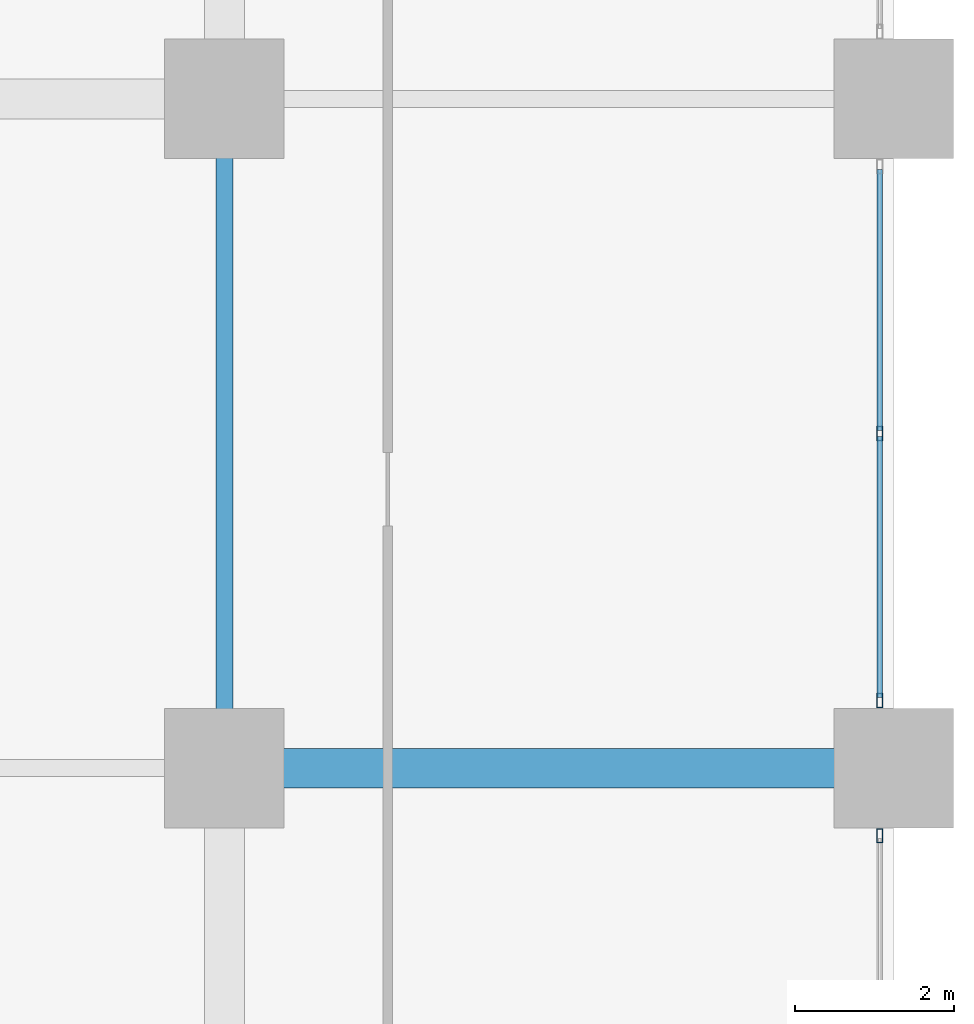
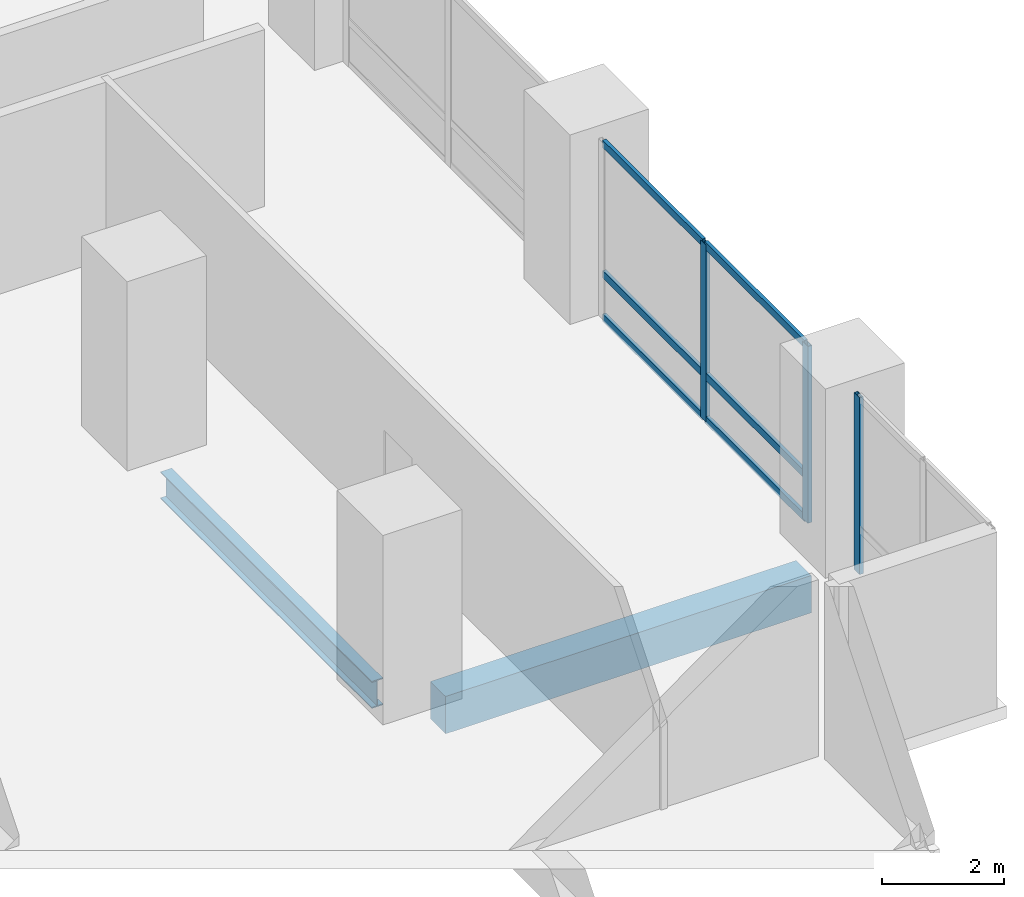
# One storey, part 4 of 27: 9 members, 2 beams, 2 elements without a shape of their own.
"""IFC4 building model written with IfcOpenShell, lengths in metres."""

from ifc_helpers import new_model, si_unit, direction, frame, origin, origin_2d, place, context, subcontext, project, spatial, rectangle, hollow_rectangle, i_section, extrude, material, layer, layer_set, material_profile, profile_set, type_object, element, aggregate, save


model = new_model("IFC4")

# Units and contexts
model_context = context("Model", 3, precision=1e-05, world=origin(), true_north=direction((0.0, 1.0)))
body_context = subcontext(model_context, "Body", "Model", "MODEL_VIEW")
ifc_project = project(units=[si_unit("LENGTHUNIT", "METRE"), si_unit("AREAUNIT", "SQUARE_METRE"), si_unit("VOLUMEUNIT", "CUBIC_METRE"), si_unit("PLANEANGLEUNIT", "RADIAN"), si_unit("MASSUNIT", "GRAM", prefix="KILO")], contexts=[model_context])

# Site, building, storey
site_placement = place(None, origin())
site = spatial("IfcSite", under=ifc_project, at=site_placement, CompositionType="ELEMENT")
building_placement = place(site_placement, origin())
building = spatial("IfcBuilding", under=site, at=building_placement, Name="Koriwani Terraces Tower", CompositionType="ELEMENT")
storey_placement = place(building_placement, frame((0.0, 0.0, 70.0)))
storey = spatial("IfcBuildingStorey", under=building, at=storey_placement, Name="L16", CompositionType="ELEMENT", Elevation=70.0)

# Beam
ifc_material_1 = material(Name="Concrete C50/60", Category="concrete")
ifc_material_profile_1 = material_profile(ifc_material_1, rectangle(XDim=0.5, YDim=0.75, at=origin_2d()), Name="Concrete C50/60", Category="LoadBearing")
ifc_profile_set_1 = profile_set([ifc_material_profile_1], Name="Concrete C50/60")
beam_type_1 = type_object("IfcBeamType", Name="BEAM_RC_GRID_500X750", PredefinedType="BEAM", material=ifc_profile_set_1)
beam_1_placement = place(storey_placement, frame((84.72998046875, 8.39990234375, -0.625), z_axis=(1.0, 0.0, 0.0), x_axis=(0.0, 1.0, 0.0)))
element("IfcBeam", 1, at=beam_1_placement, inside=storey, type_object=beam_type_1, Name="L16 Grid Beam B (84.0-92.4m)", PredefinedType="BEAM", context=body_context, shape_type="SweptSolid", body=[
    extrude(rectangle(XDim=0.5, YDim=0.75, at=origin_2d()), origin(), (0.0, 0.0, 1.0), 6.93994140625),
])

# Curtain wall, members
ifc_material_2 = material(Name="Anodised Bronze Aluminium", Category="aluminium")
ifc_layer = layer(ifc_material_2, 0.179931640625, Name="Anodised Bronze Aluminium")
ifc_layer_set = layer_set([ifc_layer], Name="Anodised Bronze Aluminium")
curtain_wall_type = type_object("IfcCurtainWallType", Name="CW_HOTEL_ZONE1", PredefinedType="NOTDEFINED", material=ifc_layer_set)
curtain_wall_1_placement = place(storey_placement, origin())
curtain_wall_1 = element("IfcCurtainWall", 2, at=curtain_wall_1_placement, inside=storey, type_object=curtain_wall_type, Name="L16 Unitised Curtain Wall (E_TIP) Bay 3", PredefinedType="NOTDEFINED")
ifc_material_profile_2 = material_profile(ifc_material_2, hollow_rectangle(XDim=0.074951171875, YDim=0.179931640625, WallThickness=0.006103515625, at=origin_2d()), Name="Anodised Bronze Aluminium", Category="LoadBearing")
ifc_profile_set_2 = profile_set([ifc_material_profile_2], Name="Anodised Bronze Aluminium")
member_type_1 = type_object("IfcMemberType", Name="CW_MULLION_180X75", PredefinedType="MULLION", material=ifc_profile_set_2)
member_1_placement = place(storey_placement, frame((92.22509765625, 12.60009765625, 0.0), z_axis=(0.0, 0.0, 1.0), x_axis=(1.0, 0.0, 0.0)))
member_1 = element("IfcMember", 3, at=member_1_placement, type_object=member_type_1, Name="CW-Z1 mullion 2", PredefinedType="MULLION", context=body_context, shape_type="SweptSolid", body=[
    extrude(hollow_rectangle(XDim=0.074951171875, YDim=0.179931640625, WallThickness=0.006103515625, at=origin_2d()), origin(), (0.0, 0.0, 1.0), 3.550048828125),
])
member_2_placement = place(storey_placement, frame((92.22509765625, 9.24755859375, 0.0), z_axis=(0.0, 0.0, 1.0), x_axis=(1.0, 0.0, 0.0)))
member_2 = element("IfcMember", 4, at=member_2_placement, type_object=member_type_1, Name="CW-Z1 mullion 3", PredefinedType="MULLION", context=body_context, shape_type="SweptSolid", body=[
    extrude(hollow_rectangle(XDim=0.074951171875, YDim=0.179931640625, WallThickness=0.006103515625, at=origin_2d()), origin(), (0.0, 0.0, 1.0), 3.550048828125),
])

# Curtain wall, member
curtain_wall_2_placement = place(storey_placement, origin())
curtain_wall_2 = element("IfcCurtainWall", 5, at=curtain_wall_2_placement, inside=storey, type_object=curtain_wall_type, Name="L16 Unitised Curtain Wall (E_TIP) Bay 4", PredefinedType="NOTDEFINED")
member_3_placement = place(storey_placement, frame((92.22509765625, 7.552490234375, 0.0), z_axis=(0.0, 0.0, 1.0), x_axis=(1.0, 0.0, 0.0)))
member_3 = element("IfcMember", 6, at=member_3_placement, type_object=member_type_1, Name="CW-Z1 mullion 1", PredefinedType="MULLION", context=body_context, shape_type="SweptSolid", body=[
    extrude(hollow_rectangle(XDim=0.074951171875, YDim=0.179931640625, WallThickness=0.006103515625, at=origin_2d()), origin(), (0.0, 0.0, 1.0), 3.550048828125),
])
aggregate(curtain_wall_2, [member_3])

# Member
ifc_material_profile_3 = material_profile(ifc_material_2, hollow_rectangle(XDim=0.06494140625, YDim=0.14990234375, WallThickness=0.0048828125, at=origin_2d()), Name="Anodised Bronze Aluminium", Category="LoadBearing")
ifc_profile_set_3 = profile_set([ifc_material_profile_3], Name="Anodised Bronze Aluminium")
member_type_2 = type_object("IfcMemberType", Name="CW_TRANSOM_150X65", PredefinedType="USERDEFINED", material=ifc_profile_set_3)
member_4_placement = place(storey_placement, frame((92.22509765625, 15.9150390625, 0.032470703125), z_axis=(0.0, -1.0, 0.0), x_axis=(1.0, 0.0, 0.0)))
member_4 = element("IfcMember", 7, at=member_4_placement, type_object=member_type_2, Name="CW-Z1 transom 1.1", ObjectType="TRANSOM", PredefinedType="USERDEFINED", context=body_context, shape_type="SweptSolid", body=[
    extrude(hollow_rectangle(XDim=0.06494140625, YDim=0.14990234375, WallThickness=0.0048828125, at=origin_2d()), origin(), (0.0, 0.0, 1.0), 3.277587890625),
])

member_5_placement = place(storey_placement, frame((92.22509765625, 15.9150390625, 0.89990234375), z_axis=(0.0, -1.0, 0.0), x_axis=(1.0, 0.0, 0.0)))
member_5 = element("IfcMember", 8, at=member_5_placement, type_object=member_type_2, Name="CW-Z1 transom 1.2", ObjectType="TRANSOM", PredefinedType="USERDEFINED", context=body_context, shape_type="SweptSolid", body=[
    extrude(hollow_rectangle(XDim=0.06494140625, YDim=0.14990234375, WallThickness=0.0048828125, at=origin_2d()), origin(), (0.0, 0.0, 1.0), 3.277587890625),
])

member_6_placement = place(storey_placement, frame((92.22509765625, 15.9150390625, 3.517578125), z_axis=(0.0, -1.0, 0.0), x_axis=(1.0, 0.0, 0.0)))
member_6 = element("IfcMember", 9, at=member_6_placement, type_object=member_type_2, Name="CW-Z1 transom 1.3", ObjectType="TRANSOM", PredefinedType="USERDEFINED", context=body_context, shape_type="SweptSolid", body=[
    extrude(hollow_rectangle(XDim=0.06494140625, YDim=0.14990234375, WallThickness=0.0048828125, at=origin_2d()), origin(), (0.0, 0.0, 1.0), 3.277587890625),
])

member_7_placement = place(storey_placement, frame((92.22509765625, 12.5625, 0.032470703125), z_axis=(0.0, -1.0, 0.0), x_axis=(1.0, 0.0, 0.0)))
member_7 = element("IfcMember", 10, at=member_7_placement, type_object=member_type_2, Name="CW-Z1 transom 2.1", ObjectType="TRANSOM", PredefinedType="USERDEFINED", context=body_context, shape_type="SweptSolid", body=[
    extrude(hollow_rectangle(XDim=0.06494140625, YDim=0.14990234375, WallThickness=0.0048828125, at=origin_2d()), origin(), (0.0, 0.0, 1.0), 3.277587890625),
])

member_8_placement = place(storey_placement, frame((92.22509765625, 12.5625, 0.89990234375), z_axis=(0.0, -1.0, 0.0), x_axis=(1.0, 0.0, 0.0)))
member_8 = element("IfcMember", 11, at=member_8_placement, type_object=member_type_2, Name="CW-Z1 transom 2.2", ObjectType="TRANSOM", PredefinedType="USERDEFINED", context=body_context, shape_type="SweptSolid", body=[
    extrude(hollow_rectangle(XDim=0.06494140625, YDim=0.14990234375, WallThickness=0.0048828125, at=origin_2d()), origin(), (0.0, 0.0, 1.0), 3.277587890625),
])

member_9_placement = place(storey_placement, frame((92.22509765625, 12.5625, 3.517578125), z_axis=(0.0, -1.0, 0.0), x_axis=(1.0, 0.0, 0.0)))
member_9 = element("IfcMember", 12, at=member_9_placement, type_object=member_type_2, Name="CW-Z1 transom 2.3", ObjectType="TRANSOM", PredefinedType="USERDEFINED", context=body_context, shape_type="SweptSolid", body=[
    extrude(hollow_rectangle(XDim=0.06494140625, YDim=0.14990234375, WallThickness=0.0048828125, at=origin_2d()), origin(), (0.0, 0.0, 1.0), 3.277587890625),
])

aggregate(curtain_wall_1, [member_1, member_2, member_4, member_5, member_6, member_7, member_8, member_9])

# Beam
ifc_material_3 = material(Name="Steel ASTM A572 Grade 50", Category="steel")
ifc_material_profile_4 = material_profile(ifc_material_3, i_section(OverallWidth=0.2119140625, OverallDepth=0.54296875, WebThickness=0.0126953125, FlangeThickness=0.021240234375, at=origin_2d()), Name="Steel ASTM A572 Grade 50", Category="LoadBearing")
ifc_profile_set_4 = profile_set([ifc_material_profile_4], Name="Steel ASTM A572 Grade 50")
beam_type_2 = type_object("IfcBeamType", Name="STEEL_BEAM_W530X150", PredefinedType="BEAM", material=ifc_profile_set_4)
beam_2_placement = place(storey_placement, frame((84.0, 9.1298828125, -0.521484375), z_axis=(0.0, 1.0, 0.0), x_axis=(-1.0, 0.0, 0.0)))
element("IfcBeam", 13, at=beam_2_placement, inside=storey, type_object=beam_type_2, Name="L16 Grid Beam 11 (8.4-16.8m)", PredefinedType="BEAM", context=body_context, shape_type="SweptSolid", body=[
    extrude(i_section(OverallWidth=0.2119140625, OverallDepth=0.54296875, WebThickness=0.0126953125, FlangeThickness=0.021240234375, at=origin_2d()), origin(), (0.0, 0.0, 1.0), 6.940185546875),
])

save(model, "model.ifc")
